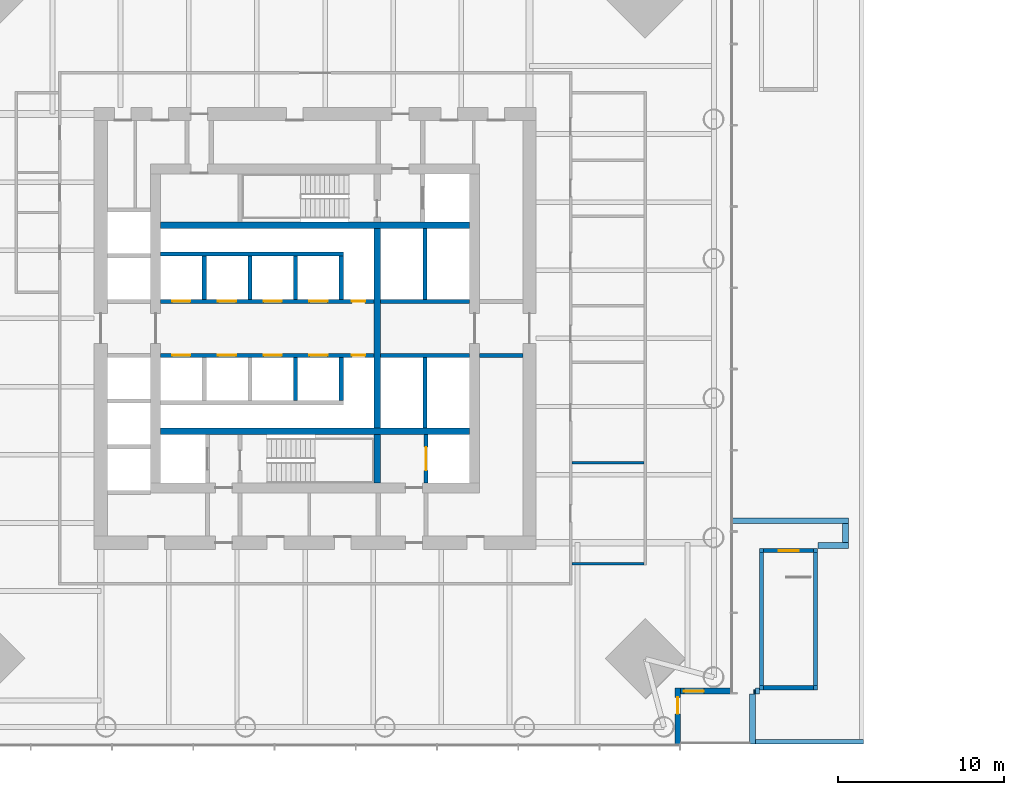
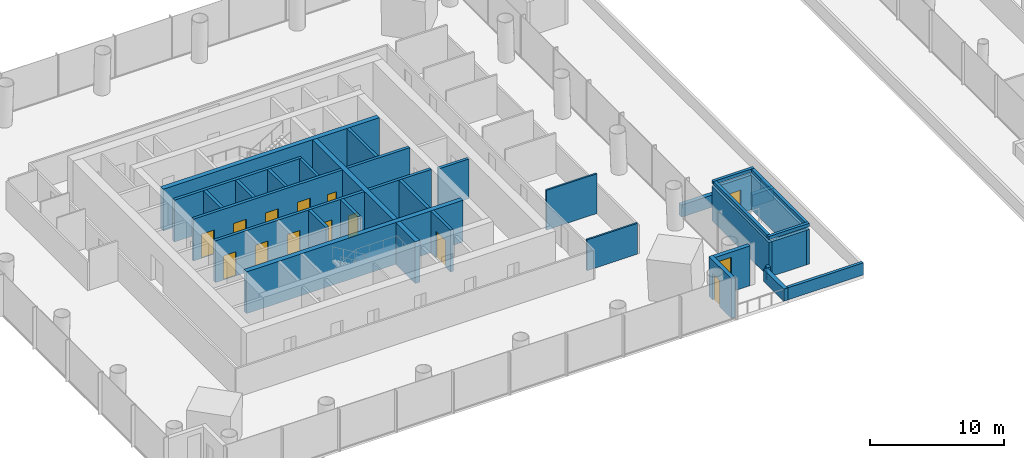
# One storey, part 10 of 19: 38 walls, 13 doors, 1 window, 14 openings.
"""IFC4 building model written with IfcOpenShell, lengths in metres."""

from ifc_helpers import new_model, si_unit, direction, frame, frame_2d, origin, place, context, subcontext, project, spatial, rectangle, extrude, material, layer, layer_set, type_object, element, fill, save


model = new_model("IFC4")

# Units and contexts
model_context = context("Model", 3, precision=1e-05, world=origin(), true_north=direction((0.0, 1.0)))
body_context = subcontext(model_context, "Body", "Model", "MODEL_VIEW")
ifc_project = project(units=[si_unit("LENGTHUNIT", "METRE"), si_unit("AREAUNIT", "SQUARE_METRE"), si_unit("VOLUMEUNIT", "CUBIC_METRE"), si_unit("PLANEANGLEUNIT", "RADIAN"), si_unit("MASSUNIT", "GRAM", prefix="KILO")], contexts=[model_context])

# Site, building, storey
site_placement = place(None, origin())
site = spatial("IfcSite", under=ifc_project, at=site_placement, CompositionType="ELEMENT")
building_placement = place(site_placement, origin())
building = spatial("IfcBuilding", under=site, at=building_placement, Name="Ostroluk Exchange", CompositionType="ELEMENT")
storey_placement = place(building_placement, frame((0.0, 0.0, 21.0)))
storey = spatial("IfcBuildingStorey", under=building, at=storey_placement, Name="L04", CompositionType="ELEMENT", Elevation=21.0)

# Walls
ifc_material_1 = material(Name="Concrete blockwork", Category="masonry")
ifc_layer_1 = layer(ifc_material_1, 0.25)
ifc_layer_set_1 = layer_set([ifc_layer_1], Name="Blockwork stair enclosure wall 250")
wall_type_1 = type_object("IfcWallType", Name="Blockwork stair enclosure wall 250", PredefinedType="SOLIDWALL", material=ifc_layer_set_1)
wall_1_placement = place(storey_placement, frame((54.89990234375, 44.375, 0.0), z_axis=(0.0, 0.0, 1.0), x_axis=(1.0, 0.0, 0.0)))
element("IfcWall", 1, at=wall_1_placement, inside=storey, type_object=wall_type_1, Name="Lift lobby enclosure wall", PredefinedType="SOLIDWALL", context=body_context, shape_type="SweptSolid", body=[
    extrude(rectangle(XDim=2.60009765625, YDim=0.25, at=frame_2d((1.300048828125, 0.0))), origin(), (0.0, 0.0, 1.0), 3.6201171875),
])
ifc_material_2 = material(Name="Concrete C50/60", Category="concrete")
ifc_layer_2 = layer(ifc_material_2, 0.39990234375)
ifc_layer_set_2 = layer_set([ifc_layer_2], Name="Core cross wall 400 C50/60")
wall_type_2 = type_object("IfcWallType", Name="Core cross wall 400 C50/60", PredefinedType="SHEAR", material=ifc_layer_set_2)
for number, where, z_axis, x_axis, name in (
    (2, (35.699951171875, 39.800048828125, 0.0), (0.0, 0.0, 1.0), (1.0, 0.0, 0.0), "T1 core wall XS"),
    (3, (35.699951171875, 52.199951171875, 0.0), (0.0, 0.0, 1.0), (1.0, 0.0, 0.0), "T1 core wall XN"),
):
    element("IfcWall", number, at=place(storey_placement, frame(where, z_axis=z_axis, x_axis=x_axis)), inside=storey, type_object=wall_type_2, Name=name, PredefinedType="SHEAR", context=body_context, shape_type="SweptSolid", body=[
        extrude(rectangle(XDim=18.60009765625, YDim=0.39990234375, at=frame_2d((9.300048828125, 0.0))), origin(), (0.0, 0.0, 1.0), 3.800048828125),
    ])
wall_2_placement = place(storey_placement, frame((48.72998046875, 36.699951171875, 0.0), z_axis=(0.0, 0.0, 1.0), x_axis=(0.0, 1.0, 0.0)))
element("IfcWall", 4, at=wall_2_placement, inside=storey, type_object=wall_type_2, Name="T1 core wall YE1", PredefinedType="SHEAR", context=body_context, shape_type="SweptSolid", body=[
    extrude(rectangle(XDim=2.900146484375, YDim=0.39990234375, at=frame_2d((1.4501953125, 0.0))), origin(), (0.0, 0.0, 1.0), 3.800048828125),
])
wall_3_placement = place(storey_placement, frame((48.72998046875, 40.0, 0.0), z_axis=(0.0, 0.0, 1.0), x_axis=(0.0, 1.0, 0.0)))
element("IfcWall", 5, at=wall_3_placement, inside=storey, type_object=wall_type_2, Name="T1 core wall YE2", PredefinedType="SHEAR", context=body_context, shape_type="SweptSolid", body=[
    extrude(rectangle(XDim=12.0, YDim=0.39990234375, at=frame_2d((6.0, 0.0))), origin(), (0.0, 0.0, 1.0), 3.800048828125),
])

# Wall, opening, door
ifc_material_3 = material(Name="Concrete C40/50", Category="concrete")
ifc_layer_3 = layer(ifc_material_3, 0.25)
ifc_layer_set_3 = layer_set([ifc_layer_3], Name="Core shaft wall 250")
wall_type_3 = type_object("IfcWallType", Name="Core shaft wall 250", PredefinedType="SHEAR", material=ifc_layer_set_3)
wall_4_placement = place(storey_placement, frame((51.675048828125, 36.699951171875, 0.0), z_axis=(0.0, 0.0, 1.0), x_axis=(0.0, 1.0, 0.0)))
wall_4 = element("IfcWall", 6, at=wall_4_placement, inside=storey, type_object=wall_type_3, Name="Service lift shaft wall", PredefinedType="SHEAR", context=body_context, shape_type="SweptSolid", body=[
    extrude(rectangle(XDim=2.900146484375, YDim=0.25, at=frame_2d((1.4501953125, 0.0))), origin(), (0.0, 0.0, 1.0), 3.800048828125),
])
opening_1_placement = place(wall_4_placement, frame((0.75, 0.0, 0.0)))
opening_1 = element("IfcOpeningElement", 7, at=opening_1_placement, cuts=wall_4, Name="Opening LD3", PredefinedType="OPENING", context=body_context, shape_type="SweptSolid", body=[
    extrude(rectangle(XDim=1.39990234375, YDim=2.39990234375, at=frame_2d((0.699951171875, 1.199951171875))), frame((0.0, 0.135009765625, 0.0), z_axis=(0.0, -1.0, 0.0), x_axis=(1.0, 0.0, 0.0)), (0.0, 0.0, 1.0), 0.27001953125),
])
ifc_material_4 = material(Name="Stainless steel", Category="steel")
door_type_1 = type_object("IfcDoorType", Name="Goods lift landing door E 60 1400 x 2400", OperationType="DOUBLE_DOOR_SLIDING", PredefinedType="DOOR", material=ifc_material_4)
door_1_placement = place(opening_1_placement, origin())
door_1 = element("IfcDoor", 8, at=door_1_placement, inside=storey, type_object=door_type_1, Name="Lift SL1 landing door", OperationType="DOUBLE_DOOR_SLIDING", OverallHeight=2.39990234375, OverallWidth=1.39990234375, PredefinedType="DOOR", context=body_context, shape_type="SweptSolid", body=[
    extrude(rectangle(XDim=1.39990234375, YDim=2.39990234375, at=frame_2d((0.699951171875, 1.199951171875))), frame((0.0, 0.02490234375, 0.0), z_axis=(0.0, -1.0, 0.0), x_axis=(1.0, 0.0, 0.0)), (0.0, 0.0, 1.0), 0.050048828125),
])
fill(opening_1, door_1)

# Walls
for number, where, z_axis, x_axis, name in (
    (9, (38.324951171875, 47.75, 0.0), (0.0, 0.0, 1.0), (0.0, 1.0, 0.0), "Lift shaft wall"),
    (10, (41.074951171875, 47.75, 0.0), (0.0, 0.0, 1.0), (0.0, 1.0, 0.0), "Lift shaft wall"),
    (11, (43.824951171875, 47.75, 0.0), (0.0, 0.0, 1.0), (0.0, 1.0, 0.0), "Lift shaft wall"),
    (12, (46.574951171875, 47.75, 0.0), (0.0, 0.0, 1.0), (0.0, 1.0, 0.0), "Lift shaft wall"),
):
    element("IfcWall", number, at=place(storey_placement, frame(where, z_axis=z_axis, x_axis=x_axis)), inside=storey, type_object=wall_type_3, Name=name, PredefinedType="SHEAR", context=body_context, shape_type="SweptSolid", body=[
        extrude(rectangle(XDim=2.60009765625, YDim=0.25, at=frame_2d((1.300048828125, 0.0))), origin(), (0.0, 0.0, 1.0), 3.800048828125),
    ])
wall_5_placement = place(storey_placement, frame((35.699951171875, 50.47509765625, 0.0), z_axis=(0.0, 0.0, 1.0), x_axis=(1.0, 0.0, 0.0)))
element("IfcWall", 13, at=wall_5_placement, inside=storey, type_object=wall_type_3, Name="Lift shaft wall", PredefinedType="SHEAR", context=body_context, shape_type="SweptSolid", body=[
    extrude(rectangle(XDim=11.0, YDim=0.25, at=frame_2d((5.5, 0.0))), origin(), (0.0, 0.0, 1.0), 3.800048828125),
])

# Wall, openings, doors
wall_6_placement = place(storey_placement, frame((35.699951171875, 47.625, 0.0), z_axis=(0.0, 0.0, 1.0), x_axis=(1.0, 0.0, 0.0)))
wall_6 = element("IfcWall", 14, at=wall_6_placement, inside=storey, type_object=wall_type_3, Name="Lift shaft front wall", PredefinedType="SHEAR", context=body_context, shape_type="SweptSolid", body=[
    extrude(rectangle(XDim=12.830078125, YDim=0.25, at=frame_2d((6.4150390625, 0.0))), origin(), (0.0, 0.0, 1.0), 3.800048828125),
])
opening_2_placement = place(wall_6_placement, frame((0.699951171875, 0.0, 0.0)))
opening_2 = element("IfcOpeningElement", 15, at=opening_2_placement, cuts=wall_6, Name="Opening LD", PredefinedType="OPENING", context=body_context, shape_type="SweptSolid", body=[
    extrude(rectangle(XDim=1.10009765625, YDim=2.199951171875, at=frame_2d((0.550048828125, 1.10009765625))), frame((0.0, 0.135009765625, 0.0), z_axis=(0.0, -1.0, 0.0), x_axis=(1.0, 0.0, 0.0)), (0.0, 0.0, 1.0), 0.27001953125),
])
opening_3_placement = place(wall_6_placement, frame((3.449951171875, 0.0, 0.0)))
opening_3 = element("IfcOpeningElement", 16, at=opening_3_placement, cuts=wall_6, Name="Opening LD", PredefinedType="OPENING", context=body_context, shape_type="SweptSolid", body=[
    extrude(rectangle(XDim=1.10009765625, YDim=2.199951171875, at=frame_2d((0.550048828125, 1.10009765625))), frame((0.0, 0.135009765625, 0.0), z_axis=(0.0, -1.0, 0.0), x_axis=(1.0, 0.0, 0.0)), (0.0, 0.0, 1.0), 0.27001953125),
])
opening_4_placement = place(wall_6_placement, frame((6.199951171875, 0.0, 0.0)))
opening_4 = element("IfcOpeningElement", 17, at=opening_4_placement, cuts=wall_6, Name="Opening LD", PredefinedType="OPENING", context=body_context, shape_type="SweptSolid", body=[
    extrude(rectangle(XDim=1.10009765625, YDim=2.199951171875, at=frame_2d((0.550048828125, 1.10009765625))), frame((0.0, 0.135009765625, 0.0), z_axis=(0.0, -1.0, 0.0), x_axis=(1.0, 0.0, 0.0)), (0.0, 0.0, 1.0), 0.27001953125),
])
opening_5_placement = place(wall_6_placement, frame((8.949951171875, 0.0, 0.0)))
opening_5 = element("IfcOpeningElement", 18, at=opening_5_placement, cuts=wall_6, Name="Opening LD", PredefinedType="OPENING", context=body_context, shape_type="SweptSolid", body=[
    extrude(rectangle(XDim=1.10009765625, YDim=2.199951171875, at=frame_2d((0.550048828125, 1.10009765625))), frame((0.0, 0.135009765625, 0.0), z_axis=(0.0, -1.0, 0.0), x_axis=(1.0, 0.0, 0.0)), (0.0, 0.0, 1.0), 0.27001953125),
])
opening_6_placement = place(wall_6_placement, frame((11.514892578125, 0.0, 0.0)))
opening_6 = element("IfcOpeningElement", 19, at=opening_6_placement, cuts=wall_6, Name="Opening RD60", PredefinedType="OPENING", context=body_context, shape_type="SweptSolid", body=[
    extrude(rectangle(XDim=0.800048828125, YDim=2.0, at=frame_2d((0.39990234375, 1.0))), frame((0.0, 0.135009765625, 0.0), z_axis=(0.0, -1.0, 0.0), x_axis=(1.0, 0.0, 0.0)), (0.0, 0.0, 1.0), 0.27001953125),
])
ifc_material_5 = material(Name="Stainless steel", Category="steel")
door_type_2 = type_object("IfcDoorType", Name="Lift landing door E 60 1100 x 2200", OperationType="DOUBLE_DOOR_SLIDING", PredefinedType="DOOR", material=ifc_material_5)
door_2_placement = place(opening_2_placement, origin())
door_2 = element("IfcDoor", 20, at=door_2_placement, inside=storey, type_object=door_type_2, Name="Lift PL-L1 landing door", OperationType="DOUBLE_DOOR_SLIDING", OverallHeight=2.199951171875, OverallWidth=1.10009765625, PredefinedType="DOOR", context=body_context, shape_type="SweptSolid", body=[
    extrude(rectangle(XDim=1.10009765625, YDim=2.199951171875, at=frame_2d((0.550048828125, 1.10009765625))), frame((0.0, 0.02490234375, 0.0), z_axis=(0.0, -1.0, 0.0), x_axis=(1.0, 0.0, 0.0)), (0.0, 0.0, 1.0), 0.050048828125),
])
fill(opening_2, door_2)
door_3_placement = place(opening_3_placement, origin())
door_3 = element("IfcDoor", 21, at=door_3_placement, inside=storey, type_object=door_type_2, Name="Lift PL-L2 landing door", OperationType="DOUBLE_DOOR_SLIDING", OverallHeight=2.199951171875, OverallWidth=1.10009765625, PredefinedType="DOOR", context=body_context, shape_type="SweptSolid", body=[
    extrude(rectangle(XDim=1.10009765625, YDim=2.199951171875, at=frame_2d((0.550048828125, 1.10009765625))), frame((0.0, 0.02490234375, 0.0), z_axis=(0.0, -1.0, 0.0), x_axis=(1.0, 0.0, 0.0)), (0.0, 0.0, 1.0), 0.050048828125),
])
fill(opening_3, door_3)
door_4_placement = place(opening_4_placement, origin())
door_4 = element("IfcDoor", 22, at=door_4_placement, inside=storey, type_object=door_type_2, Name="Lift PL-L3 landing door", OperationType="DOUBLE_DOOR_SLIDING", OverallHeight=2.199951171875, OverallWidth=1.10009765625, PredefinedType="DOOR", context=body_context, shape_type="SweptSolid", body=[
    extrude(rectangle(XDim=1.10009765625, YDim=2.199951171875, at=frame_2d((0.550048828125, 1.10009765625))), frame((0.0, 0.02490234375, 0.0), z_axis=(0.0, -1.0, 0.0), x_axis=(1.0, 0.0, 0.0)), (0.0, 0.0, 1.0), 0.050048828125),
])
fill(opening_4, door_4)
door_5_placement = place(opening_5_placement, origin())
door_5 = element("IfcDoor", 23, at=door_5_placement, inside=storey, type_object=door_type_2, Name="Lift PL-L4 landing door", OperationType="DOUBLE_DOOR_SLIDING", OverallHeight=2.199951171875, OverallWidth=1.10009765625, PredefinedType="DOOR", context=body_context, shape_type="SweptSolid", body=[
    extrude(rectangle(XDim=1.10009765625, YDim=2.199951171875, at=frame_2d((0.550048828125, 1.10009765625))), frame((0.0, 0.02490234375, 0.0), z_axis=(0.0, -1.0, 0.0), x_axis=(1.0, 0.0, 0.0)), (0.0, 0.0, 1.0), 0.050048828125),
])
fill(opening_5, door_5)
ifc_material_6 = material(Name="Steel", Category="steel")
door_type_3 = type_object("IfcDoorType", Name="Riser access door EI 60 800 x 2000", OperationType="SINGLE_SWING_LEFT", PredefinedType="DOOR", material=ifc_material_6)
door_6_placement = place(opening_6_placement, origin())
door_6 = element("IfcDoor", 24, at=door_6_placement, inside=storey, type_object=door_type_3, Name="Riser access door", OperationType="SINGLE_SWING_RIGHT", OverallHeight=2.0, OverallWidth=0.800048828125, PredefinedType="DOOR", context=body_context, shape_type="SweptSolid", body=[
    extrude(rectangle(XDim=0.800048828125, YDim=2.0, at=frame_2d((0.39990234375, 1.0))), frame((0.0, 0.02490234375, 0.0), z_axis=(0.0, -1.0, 0.0), x_axis=(1.0, 0.0, 0.0)), (0.0, 0.0, 1.0), 0.050048828125),
])
fill(opening_6, door_6)

# Walls
for number, where, z_axis, x_axis, name in (
    (25, (43.824951171875, 44.25, 0.0), (0.0, 0.0, 1.0), (0.0, -1.0, 0.0), "Lift shaft wall"),
    (26, (46.574951171875, 44.25, 0.0), (0.0, 0.0, 1.0), (0.0, -1.0, 0.0), "Lift shaft wall"),
):
    element("IfcWall", number, at=place(storey_placement, frame(where, z_axis=z_axis, x_axis=x_axis)), inside=storey, type_object=wall_type_3, Name=name, PredefinedType="SHEAR", context=body_context, shape_type="SweptSolid", body=[
        extrude(rectangle(XDim=2.60009765625, YDim=0.25, at=frame_2d((1.300048828125, 0.0))), origin(), (0.0, 0.0, 1.0), 3.800048828125),
    ])

# Wall, openings, doors
wall_7_placement = place(storey_placement, frame((35.699951171875, 44.375, 0.0), z_axis=(0.0, 0.0, 1.0), x_axis=(1.0, 0.0, 0.0)))
wall_7 = element("IfcWall", 27, at=wall_7_placement, inside=storey, type_object=wall_type_3, Name="Lift shaft front wall", PredefinedType="SHEAR", context=body_context, shape_type="SweptSolid", body=[
    extrude(rectangle(XDim=12.830078125, YDim=0.25, at=frame_2d((6.4150390625, 0.0))), origin(), (0.0, 0.0, 1.0), 3.800048828125),
])
opening_7_placement = place(wall_7_placement, frame((0.699951171875, 0.0, 0.0)))
opening_7 = element("IfcOpeningElement", 28, at=opening_7_placement, cuts=wall_7, Name="Opening LD", PredefinedType="OPENING", context=body_context, shape_type="SweptSolid", body=[
    extrude(rectangle(XDim=1.10009765625, YDim=2.199951171875, at=frame_2d((0.550048828125, 1.10009765625))), frame((0.0, 0.135009765625, 0.0), z_axis=(0.0, -1.0, 0.0), x_axis=(1.0, 0.0, 0.0)), (0.0, 0.0, 1.0), 0.27001953125),
])
opening_8_placement = place(wall_7_placement, frame((3.449951171875, 0.0, 0.0)))
opening_8 = element("IfcOpeningElement", 29, at=opening_8_placement, cuts=wall_7, Name="Opening LD", PredefinedType="OPENING", context=body_context, shape_type="SweptSolid", body=[
    extrude(rectangle(XDim=1.10009765625, YDim=2.199951171875, at=frame_2d((0.550048828125, 1.10009765625))), frame((0.0, 0.135009765625, 0.0), z_axis=(0.0, -1.0, 0.0), x_axis=(1.0, 0.0, 0.0)), (0.0, 0.0, 1.0), 0.27001953125),
])
opening_9_placement = place(wall_7_placement, frame((6.199951171875, 0.0, 0.0)))
opening_9 = element("IfcOpeningElement", 30, at=opening_9_placement, cuts=wall_7, Name="Opening LD", PredefinedType="OPENING", context=body_context, shape_type="SweptSolid", body=[
    extrude(rectangle(XDim=1.10009765625, YDim=2.199951171875, at=frame_2d((0.550048828125, 1.10009765625))), frame((0.0, 0.135009765625, 0.0), z_axis=(0.0, -1.0, 0.0), x_axis=(1.0, 0.0, 0.0)), (0.0, 0.0, 1.0), 0.27001953125),
])
opening_10_placement = place(wall_7_placement, frame((8.949951171875, 0.0, 0.0)))
opening_10 = element("IfcOpeningElement", 31, at=opening_10_placement, cuts=wall_7, Name="Opening LD", PredefinedType="OPENING", context=body_context, shape_type="SweptSolid", body=[
    extrude(rectangle(XDim=1.10009765625, YDim=2.199951171875, at=frame_2d((0.550048828125, 1.10009765625))), frame((0.0, 0.135009765625, 0.0), z_axis=(0.0, -1.0, 0.0), x_axis=(1.0, 0.0, 0.0)), (0.0, 0.0, 1.0), 0.27001953125),
])
opening_11_placement = place(wall_7_placement, frame((11.514892578125, 0.0, 0.0)))
opening_11 = element("IfcOpeningElement", 32, at=opening_11_placement, cuts=wall_7, Name="Opening RD60", PredefinedType="OPENING", context=body_context, shape_type="SweptSolid", body=[
    extrude(rectangle(XDim=0.800048828125, YDim=2.0, at=frame_2d((0.39990234375, 1.0))), frame((0.0, 0.135009765625, 0.0), z_axis=(0.0, -1.0, 0.0), x_axis=(1.0, 0.0, 0.0)), (0.0, 0.0, 1.0), 0.27001953125),
])
door_7_placement = place(opening_7_placement, origin())
door_7 = element("IfcDoor", 33, at=door_7_placement, inside=storey, type_object=door_type_2, Name="Lift PL-L5 landing door", OperationType="DOUBLE_DOOR_SLIDING", OverallHeight=2.199951171875, OverallWidth=1.10009765625, PredefinedType="DOOR", context=body_context, shape_type="SweptSolid", body=[
    extrude(rectangle(XDim=1.10009765625, YDim=2.199951171875, at=frame_2d((0.550048828125, 1.10009765625))), frame((0.0, 0.02490234375, 0.0), z_axis=(0.0, -1.0, 0.0), x_axis=(1.0, 0.0, 0.0)), (0.0, 0.0, 1.0), 0.050048828125),
])
fill(opening_7, door_7)
door_8_placement = place(opening_8_placement, origin())
door_8 = element("IfcDoor", 34, at=door_8_placement, inside=storey, type_object=door_type_2, Name="Lift PL-L6 landing door", OperationType="DOUBLE_DOOR_SLIDING", OverallHeight=2.199951171875, OverallWidth=1.10009765625, PredefinedType="DOOR", context=body_context, shape_type="SweptSolid", body=[
    extrude(rectangle(XDim=1.10009765625, YDim=2.199951171875, at=frame_2d((0.550048828125, 1.10009765625))), frame((0.0, 0.02490234375, 0.0), z_axis=(0.0, -1.0, 0.0), x_axis=(1.0, 0.0, 0.0)), (0.0, 0.0, 1.0), 0.050048828125),
])
fill(opening_8, door_8)
door_9_placement = place(opening_9_placement, origin())
door_9 = element("IfcDoor", 35, at=door_9_placement, inside=storey, type_object=door_type_2, Name="Lift PL-L7 landing door", OperationType="DOUBLE_DOOR_SLIDING", OverallHeight=2.199951171875, OverallWidth=1.10009765625, PredefinedType="DOOR", context=body_context, shape_type="SweptSolid", body=[
    extrude(rectangle(XDim=1.10009765625, YDim=2.199951171875, at=frame_2d((0.550048828125, 1.10009765625))), frame((0.0, 0.02490234375, 0.0), z_axis=(0.0, -1.0, 0.0), x_axis=(1.0, 0.0, 0.0)), (0.0, 0.0, 1.0), 0.050048828125),
])
fill(opening_9, door_9)
door_10_placement = place(opening_10_placement, origin())
door_10 = element("IfcDoor", 36, at=door_10_placement, inside=storey, type_object=door_type_2, Name="Lift PL-L8 landing door", OperationType="DOUBLE_DOOR_SLIDING", OverallHeight=2.199951171875, OverallWidth=1.10009765625, PredefinedType="DOOR", context=body_context, shape_type="SweptSolid", body=[
    extrude(rectangle(XDim=1.10009765625, YDim=2.199951171875, at=frame_2d((0.550048828125, 1.10009765625))), frame((0.0, 0.02490234375, 0.0), z_axis=(0.0, -1.0, 0.0), x_axis=(1.0, 0.0, 0.0)), (0.0, 0.0, 1.0), 0.050048828125),
])
fill(opening_10, door_10)
door_11_placement = place(opening_11_placement, origin())
door_11 = element("IfcDoor", 37, at=door_11_placement, inside=storey, type_object=door_type_3, Name="Riser access door", OperationType="SINGLE_SWING_RIGHT", OverallHeight=2.0, OverallWidth=0.800048828125, PredefinedType="DOOR", context=body_context, shape_type="SweptSolid", body=[
    extrude(rectangle(XDim=0.800048828125, YDim=2.0, at=frame_2d((0.39990234375, 1.0))), frame((0.0, 0.02490234375, 0.0), z_axis=(0.0, -1.0, 0.0), x_axis=(1.0, 0.0, 0.0)), (0.0, 0.0, 1.0), 0.050048828125),
])
fill(opening_11, door_11)

# Walls
wall_8_placement = place(storey_placement, frame((51.614990234375, 47.75, 0.0), z_axis=(0.0, 0.0, 1.0), x_axis=(0.0, 1.0, 0.0)))
element("IfcWall", 38, at=wall_8_placement, inside=storey, type_object=wall_type_3, Name="Lift shaft wall", PredefinedType="SHEAR", context=body_context, shape_type="SweptSolid", body=[
    extrude(rectangle(XDim=4.25, YDim=0.25, at=frame_2d((2.125, 0.0))), origin(), (0.0, 0.0, 1.0), 3.800048828125),
])
wall_9_placement = place(storey_placement, frame((48.929931640625, 47.625, 0.0), z_axis=(0.0, 0.0, 1.0), x_axis=(1.0, 0.0, 0.0)))
element("IfcWall", 39, at=wall_9_placement, inside=storey, type_object=wall_type_3, Name="Lift shaft front wall", PredefinedType="SHEAR", context=body_context, shape_type="SweptSolid", body=[
    extrude(rectangle(XDim=5.3701171875, YDim=0.25, at=frame_2d((2.68505859375, 0.0))), origin(), (0.0, 0.0, 1.0), 3.800048828125),
])
wall_10_placement = place(storey_placement, frame((51.614990234375, 44.25, 0.0), z_axis=(0.0, 0.0, 1.0), x_axis=(0.0, -1.0, 0.0)))
element("IfcWall", 40, at=wall_10_placement, inside=storey, type_object=wall_type_3, Name="Lift shaft wall", PredefinedType="SHEAR", context=body_context, shape_type="SweptSolid", body=[
    extrude(rectangle(XDim=4.25, YDim=0.25, at=frame_2d((2.125, 0.0))), origin(), (0.0, 0.0, 1.0), 3.800048828125),
])
wall_11_placement = place(storey_placement, frame((48.929931640625, 44.375, 0.0), z_axis=(0.0, 0.0, 1.0), x_axis=(1.0, 0.0, 0.0)))
element("IfcWall", 41, at=wall_11_placement, inside=storey, type_object=wall_type_3, Name="Lift shaft front wall", PredefinedType="SHEAR", context=body_context, shape_type="SweptSolid", body=[
    extrude(rectangle(XDim=5.3701171875, YDim=0.25, at=frame_2d((2.68505859375, 0.0))), origin(), (0.0, 0.0, 1.0), 3.800048828125),
])
ifc_material_7 = material(Name="Limestone", Category="masonry")
ifc_layer_4 = layer(ifc_material_7, 0.25)
ifc_layer_set_4 = layer_set([ifc_layer_4], Name="Green roof parapet 250")
wall_type_4 = type_object("IfcWallType", Name="Green roof parapet 250", PredefinedType="PARAPET", material=ifc_layer_set_4)
wall_12_placement = place(storey_placement, frame((71.510009765625, 21.125, 0.0), z_axis=(0.0, 0.0, 1.0), x_axis=(1.0, 0.0, 0.0)))
element("IfcWall", 42, at=wall_12_placement, inside=storey, type_object=wall_type_4, Name="Green roof parapet L04 1", PredefinedType="PARAPET", context=body_context, shape_type="SweptSolid", body=[
    extrude(rectangle(XDim=6.489990234375, YDim=0.25, at=frame_2d((3.2451171875, 0.0))), origin(), (0.0, 0.0, 1.0), 1.10009765625),
])

# Wall, opening, door
ifc_material_8 = material(Name="Limestone", Category="masonry")
ifc_layer_5 = layer(ifc_material_8, 0.35009765625)
ifc_layer_set_5 = layer_set([ifc_layer_5], Name="Limestone facade wall 350")
wall_type_5 = type_object("IfcWallType", Name="Limestone facade wall 350", PredefinedType="SOLIDWALL", material=ifc_layer_set_5)
wall_13_placement = place(storey_placement, frame((66.824951171875, 21.0, 0.0), z_axis=(0.0, 0.0, 1.0), x_axis=(0.0, 1.0, 0.0)))
wall_13 = element("IfcWall", 43, at=wall_13_placement, inside=storey, type_object=wall_type_5, Name="Office tower SE corner wall L04 a", PredefinedType="SOLIDWALL", context=body_context, shape_type="SweptSolid", body=[
    extrude(rectangle(XDim=3.35009765625, YDim=0.35009765625, at=frame_2d((1.675048828125, 0.0))), origin(), (0.0, 0.0, 1.0), 3.6201171875),
])
opening_12_placement = place(wall_13_placement, frame((1.800048828125, 0.0, 0.0)))
opening_12 = element("IfcOpeningElement", 44, at=opening_12_placement, cuts=wall_13, Name="Opening D-B1", PredefinedType="OPENING", context=body_context, shape_type="SweptSolid", body=[
    extrude(rectangle(XDim=1.0, YDim=2.39990234375, at=frame_2d((0.5, 1.199951171875))), frame((0.0, 0.18505859375, 0.0), z_axis=(0.0, -1.0, 0.0), x_axis=(1.0, 0.0, 0.0)), (0.0, 0.0, 1.0), 0.3701171875),
])
ifc_material_9 = material(Name="Bronze framed glazed door", Category="aluminium")
door_type_4 = type_object("IfcDoorType", Name="Balcony door 1000 x 2400", OperationType="SINGLE_SWING_LEFT", PredefinedType="DOOR", material=ifc_material_9)
door_12_placement = place(opening_12_placement, origin())
door_12 = element("IfcDoor", 45, at=door_12_placement, inside=storey, type_object=door_type_4, Name="Office tower SE balcony door L04", OperationType="SINGLE_SWING_RIGHT", OverallHeight=2.39990234375, OverallWidth=1.0, PredefinedType="DOOR", context=body_context, shape_type="SweptSolid", body=[
    extrude(rectangle(XDim=1.0, YDim=2.39990234375, at=frame_2d((0.5, 1.199951171875))), frame((0.0, 0.02490234375, 0.0), z_axis=(0.0, -1.0, 0.0), x_axis=(1.0, 0.0, 0.0)), (0.0, 0.0, 1.0), 0.050048828125),
])
fill(opening_12, door_12)

# Wall, opening, window
wall_14_placement = place(storey_placement, frame((67.0, 24.175048828125, 0.0), z_axis=(0.0, 0.0, 1.0), x_axis=(1.0, 0.0, 0.0)))
wall_14 = element("IfcWall", 46, at=wall_14_placement, inside=storey, type_object=wall_type_5, Name="Office tower SE corner wall L04 b", PredefinedType="SOLIDWALL", context=body_context, shape_type="SweptSolid", body=[
    extrude(rectangle(XDim=3.0, YDim=0.35009765625, at=frame_2d((1.5, 0.0))), origin(), (0.0, 0.0, 1.0), 3.6201171875),
])
opening_13_placement = place(wall_14_placement, frame((0.199951171875, 0.0, 0.60009765625)))
opening_13 = element("IfcOpeningElement", 47, at=opening_13_placement, cuts=wall_14, Name="Opening WN-L1", PredefinedType="OPENING", context=body_context, shape_type="SweptSolid", body=[
    extrude(rectangle(XDim=1.199951171875, YDim=2.550048828125, at=frame_2d((0.60009765625, 1.27490234375))), frame((0.0, 0.18505859375, 0.0), z_axis=(0.0, -1.0, 0.0), x_axis=(1.0, 0.0, 0.0)), (0.0, 0.0, 1.0), 0.3701171875),
])
ifc_material_10 = material(Name="Laminated clear glass", Category="glass")
window_type = type_object("IfcWindowType", Name="Lancet window 1200 x 2550", PartitioningType="SINGLE_PANEL", PredefinedType="WINDOW", material=ifc_material_10)
window_placement = place(opening_13_placement, origin())
window = element("IfcWindow", 48, at=window_placement, inside=storey, type_object=window_type, Name="Office tower SE lancet window L04", OverallHeight=2.550048828125, OverallWidth=1.199951171875, PartitioningType="SINGLE_PANEL", PredefinedType="WINDOW", context=body_context, shape_type="SweptSolid", body=[
    extrude(rectangle(XDim=1.199951171875, YDim=2.550048828125, at=frame_2d((0.60009765625, 1.27490234375))), frame((0.0, 0.030029296875, 0.0), z_axis=(0.0, -1.0, 0.0), x_axis=(1.0, 0.0, 0.0)), (0.0, 0.0, 1.0), 0.06005859375),
])
fill(opening_13, window)

# Walls
ifc_material_11 = material(Name="Limestone", Category="masonry")
ifc_layer_6 = layer(ifc_material_11, 0.35009765625)
ifc_layer_set_6 = layer_set([ifc_layer_6], Name="Planter wall 350")
wall_type_6 = type_object("IfcWallType", Name="Planter wall 350", PredefinedType="PARAPET", material=ifc_layer_set_6)
wall_15_placement = place(storey_placement, frame((70.0, 34.425048828125, 0.0), z_axis=(0.0, 0.0, 1.0), x_axis=(1.0, 0.0, 0.0)))
element("IfcWall", 49, at=wall_15_placement, inside=storey, type_object=wall_type_6, Name="Terrace planter wall L04 1", PredefinedType="PARAPET", context=body_context, shape_type="SweptSolid", body=[
    extrude(rectangle(XDim=7.10009765625, YDim=0.35009765625, at=frame_2d((3.550048828125, 0.0))), origin(), (0.0, 0.0, 1.0), 1.10009765625),
])
wall_16_placement = place(storey_placement, frame((71.324951171875, 21.0, 0.0), z_axis=(0.0, 0.0, 1.0), x_axis=(0.0, 1.0, 0.0)))
element("IfcWall", 50, at=wall_16_placement, inside=storey, type_object=wall_type_6, Name="Terrace planter wall L04 2", PredefinedType="PARAPET", context=body_context, shape_type="SweptSolid", body=[
    extrude(rectangle(XDim=3.0, YDim=0.35009765625, at=frame_2d((1.5, 0.0))), origin(), (0.0, 0.0, 1.0), 1.10009765625),
])
wall_17_placement = place(storey_placement, frame((71.449951171875, 24.0, 0.0), z_axis=(0.0, 0.0, 1.0), x_axis=(0.0, 1.0, 0.0)))
element("IfcWall", 51, at=wall_17_placement, inside=storey, type_object=wall_type_6, Name="Terrace planter wall L04 3", PredefinedType="PARAPET", context=body_context, shape_type="SweptSolid", body=[
    extrude(rectangle(XDim=0.239990234375, YDim=0.10009765625, at=frame_2d((0.1201171875, 0.0))), origin(), (0.0, 0.0, 1.0), 1.10009765625),
])
wall_18_placement = place(storey_placement, frame((71.625, 24.0, 0.0), z_axis=(0.0, 0.0, 1.0), x_axis=(0.0, 1.0, 0.0)))
element("IfcWall", 52, at=wall_18_placement, inside=storey, type_object=wall_type_6, Name="Terrace planter wall L04 4", PredefinedType="PARAPET", context=body_context, shape_type="SweptSolid", body=[
    extrude(rectangle(XDim=0.35009765625, YDim=0.25, at=frame_2d((0.175048828125, 0.0))), origin(), (0.0, 0.0, 1.0), 1.10009765625),
])
wall_19_placement = place(storey_placement, frame((75.260009765625, 32.925048828125, 0.0), z_axis=(0.0, 0.0, 1.0), x_axis=(1.0, 0.0, 0.0)))
element("IfcWall", 53, at=wall_19_placement, inside=storey, type_object=wall_type_6, Name="Terrace planter wall L04 5", PredefinedType="PARAPET", context=body_context, shape_type="SweptSolid", body=[
    extrude(rectangle(XDim=1.840087890625, YDim=0.35009765625, at=frame_2d((0.919921875, 0.0))), origin(), (0.0, 0.0, 1.0), 1.10009765625),
])
wall_20_placement = place(storey_placement, frame((76.925048828125, 33.10009765625, 0.0), z_axis=(0.0, 0.0, 1.0), x_axis=(0.0, 1.0, 0.0)))
element("IfcWall", 54, at=wall_20_placement, inside=storey, type_object=wall_type_6, Name="Terrace planter wall L04 6", PredefinedType="PARAPET", context=body_context, shape_type="SweptSolid", body=[
    extrude(rectangle(XDim=1.14990234375, YDim=0.35009765625, at=frame_2d((0.574951171875, 0.0))), origin(), (0.0, 0.0, 1.0), 1.10009765625),
])
ifc_material_12 = material(Name="Gypsum plasterboard partition", Category="gypsum")
ifc_layer_7 = layer(ifc_material_12, 0.14990234375)
ifc_layer_set_7 = layer_set([ifc_layer_7], Name="Plasterboard partition 150")
wall_type_7 = type_object("IfcWallType", Name="Plasterboard partition 150", PredefinedType="PARTITIONING", material=ifc_layer_set_7)
wall_21_placement = place(storey_placement, frame((60.449951171875, 31.824951171875, 0.0), z_axis=(0.0, 0.0, 1.0), x_axis=(1.0, 0.0, 0.0)))
element("IfcWall", 55, at=wall_21_placement, inside=storey, type_object=wall_type_7, Name="Partition", PredefinedType="PARTITIONING", context=body_context, shape_type="SweptSolid", body=[
    extrude(rectangle(XDim=4.35009765625, YDim=0.14990234375, at=frame_2d((2.175048828125, 0.0))), origin(), (0.0, 0.0, 1.0), 2.805908203125),
])
wall_22_placement = place(storey_placement, frame((60.449951171875, 37.89990234375, 0.0), z_axis=(0.0, 0.0, 1.0), x_axis=(1.0, 0.0, 0.0)))
element("IfcWall", 56, at=wall_22_placement, inside=storey, type_object=wall_type_7, Name="Partition", PredefinedType="PARTITIONING", context=body_context, shape_type="SweptSolid", body=[
    extrude(rectangle(XDim=4.35009765625, YDim=0.14990234375, at=frame_2d((2.175048828125, 0.0))), origin(), (0.0, 0.0, 1.0), 3.6201171875),
])
ifc_material_13 = material(Name="Concrete C30/37", Category="concrete")
ifc_layer_8 = layer(ifc_material_13, 0.25)
ifc_layer_set_8 = layer_set([ifc_layer_8], Name="Stair head-house roof upstand 250 EI 120")
wall_type_8 = type_object("IfcWallType", Name="Stair head-house roof upstand 250 EI 120", PredefinedType="PARAPET", material=ifc_layer_set_8)
wall_23_placement = place(storey_placement, frame((71.75, 24.375, 3.39990234375), z_axis=(0.0, 0.0, 1.0), x_axis=(1.0, 0.0, 0.0)))
element("IfcWall", 57, at=wall_23_placement, inside=storey, type_object=wall_type_8, Name="Stair PS3 head-house roof upstand 1", PredefinedType="PARAPET", context=body_context, shape_type="SweptSolid", body=[
    extrude(rectangle(XDim=3.5, YDim=0.25, at=frame_2d((1.75, 0.0))), origin(), (0.0, 0.0, 1.0), 0.300048828125),
])
wall_24_placement = place(storey_placement, frame((71.875, 24.5, 3.39990234375), z_axis=(0.0, 0.0, 1.0), x_axis=(0.0, 1.0, 0.0)))
element("IfcWall", 58, at=wall_24_placement, inside=storey, type_object=wall_type_8, Name="Stair PS3 head-house roof upstand 2", PredefinedType="PARAPET", context=body_context, shape_type="SweptSolid", body=[
    extrude(rectangle(XDim=8.0, YDim=0.25, at=frame_2d((4.0, 0.0))), origin(), (0.0, 0.0, 1.0), 0.300048828125),
])
wall_25_placement = place(storey_placement, frame((71.75, 32.625, 3.39990234375), z_axis=(0.0, 0.0, 1.0), x_axis=(1.0, 0.0, 0.0)))
element("IfcWall", 59, at=wall_25_placement, inside=storey, type_object=wall_type_8, Name="Stair PS3 head-house roof upstand 3", PredefinedType="PARAPET", context=body_context, shape_type="SweptSolid", body=[
    extrude(rectangle(XDim=3.5, YDim=0.25, at=frame_2d((1.75, 0.0))), origin(), (0.0, 0.0, 1.0), 0.300048828125),
])
wall_26_placement = place(storey_placement, frame((75.125, 24.5, 3.39990234375), z_axis=(0.0, 0.0, 1.0), x_axis=(0.0, 1.0, 0.0)))
element("IfcWall", 60, at=wall_26_placement, inside=storey, type_object=wall_type_8, Name="Stair PS3 head-house roof upstand 4", PredefinedType="PARAPET", context=body_context, shape_type="SweptSolid", body=[
    extrude(rectangle(XDim=8.0, YDim=0.25, at=frame_2d((4.0, 0.0))), origin(), (0.0, 0.0, 1.0), 0.300048828125),
])
ifc_material_14 = material(Name="Concrete blockwork, load-bearing", Category="masonry")
ifc_layer_9 = layer(ifc_material_14, 0.25)
ifc_layer_set_9 = layer_set([ifc_layer_9], Name="Stair head-house wall, load-bearing blockwork 250, EI 120")
wall_type_9 = type_object("IfcWallType", Name="Stair head-house wall, load-bearing blockwork 250, EI 120", PredefinedType="SOLIDWALL", material=ifc_layer_set_9)
for number, where, z_axis, x_axis, name in (
    (61, (71.875, 24.25, 0.0), (0.0, 0.0, 1.0), (0.0, 1.0, 0.0), "Stair PS3 enclosure wall"),
    (62, (75.125, 24.25, 0.0), (0.0, 0.0, 1.0), (0.0, 1.0, 0.0), "Stair PS3 enclosure wall"),
):
    element("IfcWall", number, at=place(storey_placement, frame(where, z_axis=z_axis, x_axis=x_axis)), inside=storey, type_object=wall_type_9, Name=name, PredefinedType="SOLIDWALL", context=body_context, shape_type="SweptSolid", body=[
        extrude(rectangle(XDim=8.5, YDim=0.25, at=frame_2d((4.25, 0.0))), origin(), (0.0, 0.0, 1.0), 3.14990234375),
    ])
wall_27_placement = place(storey_placement, frame((72.0, 24.375, 0.0), z_axis=(0.0, 0.0, 1.0), x_axis=(1.0, 0.0, 0.0)))
element("IfcWall", 63, at=wall_27_placement, inside=storey, type_object=wall_type_9, Name="Stair PS3 enclosure wall", PredefinedType="SOLIDWALL", context=body_context, shape_type="SweptSolid", body=[
    extrude(rectangle(XDim=3.0, YDim=0.25, at=frame_2d((1.5, 0.0))), origin(), (0.0, 0.0, 1.0), 3.14990234375),
])

# Wall, opening, door
wall_28_placement = place(storey_placement, frame((72.0, 32.625, 0.0), z_axis=(0.0, 0.0, 1.0), x_axis=(1.0, 0.0, 0.0)))
wall_28 = element("IfcWall", 64, at=wall_28_placement, inside=storey, type_object=wall_type_9, Name="Stair PS3 enclosure wall", PredefinedType="SOLIDWALL", context=body_context, shape_type="SweptSolid", body=[
    extrude(rectangle(XDim=3.0, YDim=0.25, at=frame_2d((1.5, 0.0))), origin(), (0.0, 0.0, 1.0), 3.14990234375),
])
opening_14_placement = place(wall_28_placement, frame((0.89990234375, 0.0, 0.0)))
opening_14 = element("IfcOpeningElement", 65, at=opening_14_placement, cuts=wall_28, Name="Opening FD60S", PredefinedType="OPENING", context=body_context, shape_type="SweptSolid", body=[
    extrude(rectangle(XDim=1.199951171875, YDim=2.10009765625, at=frame_2d((0.60009765625, 1.050048828125))), frame((0.0, 0.135009765625, 0.0), z_axis=(0.0, -1.0, 0.0), x_axis=(1.0, 0.0, 0.0)), (0.0, 0.0, 1.0), 0.27001953125),
])
ifc_material_15 = material(Name="Steel", Category="steel")
door_type_5 = type_object("IfcDoorType", Name="Stair door EI 60 1200 x 2100", OperationType="SINGLE_SWING_LEFT", PredefinedType="DOOR", material=ifc_material_15)
door_13_placement = place(opening_14_placement, origin())
door_13 = element("IfcDoor", 66, at=door_13_placement, inside=storey, type_object=door_type_5, Name="Stair PS3 door", OperationType="SINGLE_SWING_LEFT", OverallHeight=2.10009765625, OverallWidth=1.199951171875, PredefinedType="DOOR", context=body_context, shape_type="SweptSolid", body=[
    extrude(rectangle(XDim=1.199951171875, YDim=2.10009765625, at=frame_2d((0.60009765625, 1.050048828125))), frame((0.0, 0.02490234375, 0.0), z_axis=(0.0, -1.0, 0.0), x_axis=(1.0, 0.0, 0.0)), (0.0, 0.0, 1.0), 0.050048828125),
])
fill(opening_14, door_13)

save(model, "model.ifc")
